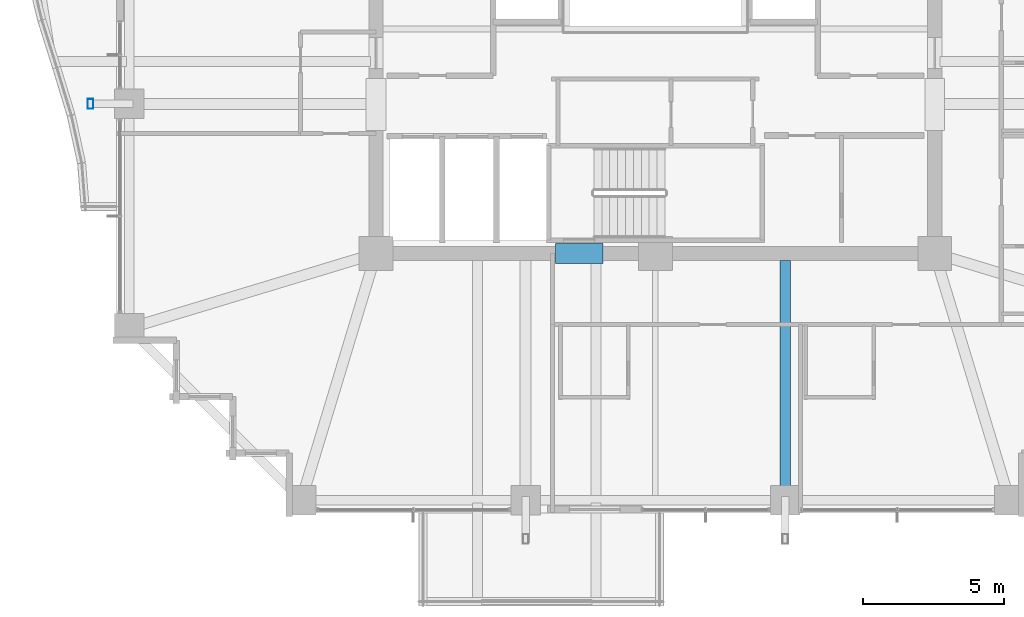
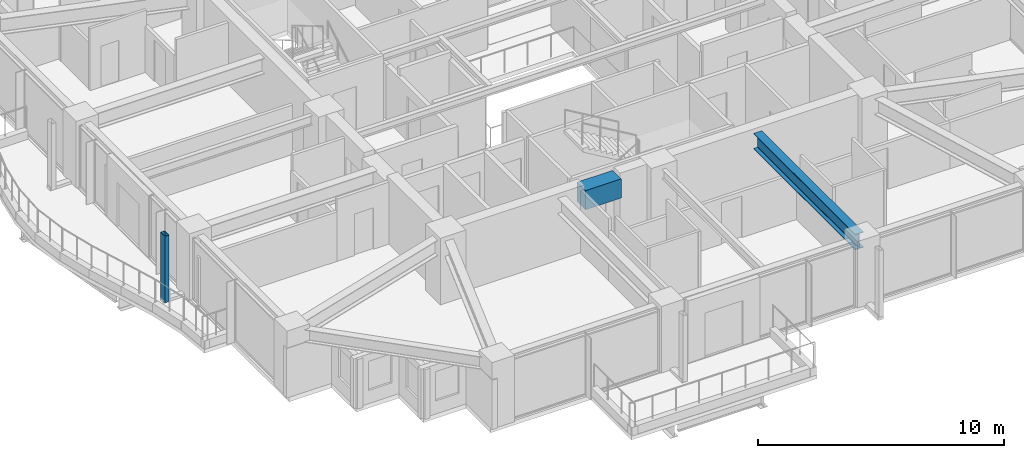
# One storey, part 7 of 38: 2 beams, 1 member.
"""IFC4 building model written with IfcOpenShell, lengths in metres."""

from ifc_helpers import new_model, si_unit, direction, frame, origin, origin_2d, place, context, subcontext, project, spatial, rectangle, hollow_rectangle, i_section, extrude, material, material_profile, profile_set, type_object, element, save


model = new_model("IFC4")

# Units and contexts
model_context = context("Model", 3, precision=1e-05, world=origin(), true_north=direction((0.0, 1.0)))
body_context = subcontext(model_context, "Body", "Model", "MODEL_VIEW")
ifc_project = project(units=[si_unit("LENGTHUNIT", "METRE"), si_unit("AREAUNIT", "SQUARE_METRE"), si_unit("VOLUMEUNIT", "CUBIC_METRE"), si_unit("PLANEANGLEUNIT", "RADIAN"), si_unit("MASSUNIT", "GRAM", prefix="KILO")], contexts=[model_context])

# Site, building, storey
site_placement = place(None, origin())
site = spatial("IfcSite", under=ifc_project, at=site_placement, CompositionType="ELEMENT")
building_placement = place(site_placement, origin())
building = spatial("IfcBuilding", under=site, at=building_placement, Name="Kolvaren Belvedere", CompositionType="ELEMENT")
storey_placement = place(building_placement, frame((0.0, 0.0, 121.699951171875)))
storey = spatial("IfcBuildingStorey", under=building, at=storey_placement, Name="L35", CompositionType="ELEMENT", Elevation=121.699951171875)

# Beams
ifc_material_1 = material(Name="Structural steel ASTM A992 Grade 50", Category="steel")
ifc_material_profile_1 = material_profile(ifc_material_1, i_section(OverallWidth=0.381103515625, OverallDepth=0.77294921875, WebThickness=0.0166015625, FlangeThickness=0.027099609375, FilletRadius=0.02392578125, at=origin_2d()), Name="W30X173")
ifc_profile_set_1 = profile_set([ifc_material_profile_1], Name="Structural steel ASTM A992 Grade 50")
beam_type_1 = type_object("IfcBeamType", Name="BM-GIRD-W30X173", PredefinedType="BEAM", material=ifc_profile_set_1)
beam_1_placement = place(storey_placement, frame((4.60009765625, -10.14990234375, 2.693603515625), z_axis=(0.0, -1.0, 0.0), x_axis=(1.0, 0.0, 0.0)))
element("IfcBeam", 1, at=beam_1_placement, inside=storey, type_object=beam_type_1, Name="L35 South Radial Girder P", PredefinedType="BEAM", context=body_context, shape_type="SweptSolid", body=[
    extrude(i_section(OverallWidth=0.381103515625, OverallDepth=0.77294921875, WebThickness=0.0166015625, FlangeThickness=0.027099609375, FilletRadius=0.02392578125, at=origin_2d()), origin(), (0.0, 0.0, 1.0), 8.263916015625),
])
ifc_material_2 = material(Name="Concrete C60/75", Category="concrete")
ifc_material_profile_2 = material_profile(ifc_material_2, rectangle(XDim=0.699951171875, YDim=0.949951171875, at=origin_2d()), Name="RC 700X950")
ifc_profile_set_2 = profile_set([ifc_material_profile_2], Name="Concrete C60/75")
beam_type_2 = type_object("IfcBeamType", Name="BM-LINT-950", PredefinedType="LINTEL", material=ifc_profile_set_2)
beam_2_placement = place(storey_placement, frame((-3.5400390625, -9.89990234375, 2.60498046875), z_axis=(1.0, 0.0, 0.0), x_axis=(0.0, 1.0, 0.0)))
element("IfcBeam", 2, at=beam_2_placement, inside=storey, type_object=beam_type_2, Name="L35 South Core Coupling Lintel", PredefinedType="LINTEL", context=body_context, shape_type="SweptSolid", body=[
    extrude(rectangle(XDim=0.699951171875, YDim=0.949951171875, at=origin_2d()), origin(), (0.0, 0.0, 1.0), 1.679931640625),
])

# Member
ifc_material_3 = material(Name="Anodised pale-metal aluminium AA 6063-T6", Category="aluminium")
ifc_material_profile_3 = material_profile(ifc_material_3, hollow_rectangle(XDim=0.199951171875, YDim=0.35009765625, WallThickness=0.007568359375, at=origin_2d()), Name="ALU-PF-350X200")
ifc_profile_set_3 = profile_set([ifc_material_profile_3], Name="Anodised pale-metal aluminium AA 6063-T6")
member_type = type_object("IfcMemberType", Name="PF-FRAME-350", PredefinedType="USERDEFINED", material=ifc_profile_set_3)
member_placement = place(storey_placement, frame((-20.02001953125, -4.60009765625, 0.0), z_axis=(0.0, 0.0, 1.0), x_axis=(1.0, 0.0, 0.0)))
element("IfcMember", 3, at=member_placement, inside=storey, type_object=member_type, Name="L35 Outboard Picture-Frame Vertical W1", ObjectType="PICTURE FRAME FIN", PredefinedType="USERDEFINED", context=body_context, shape_type="SweptSolid", body=[
    extrude(hollow_rectangle(XDim=0.199951171875, YDim=0.35009765625, WallThickness=0.007568359375, at=origin_2d()), origin(), (0.0, 0.0, 1.0), 3.300048828125),
])

save(model, "model.ifc")
